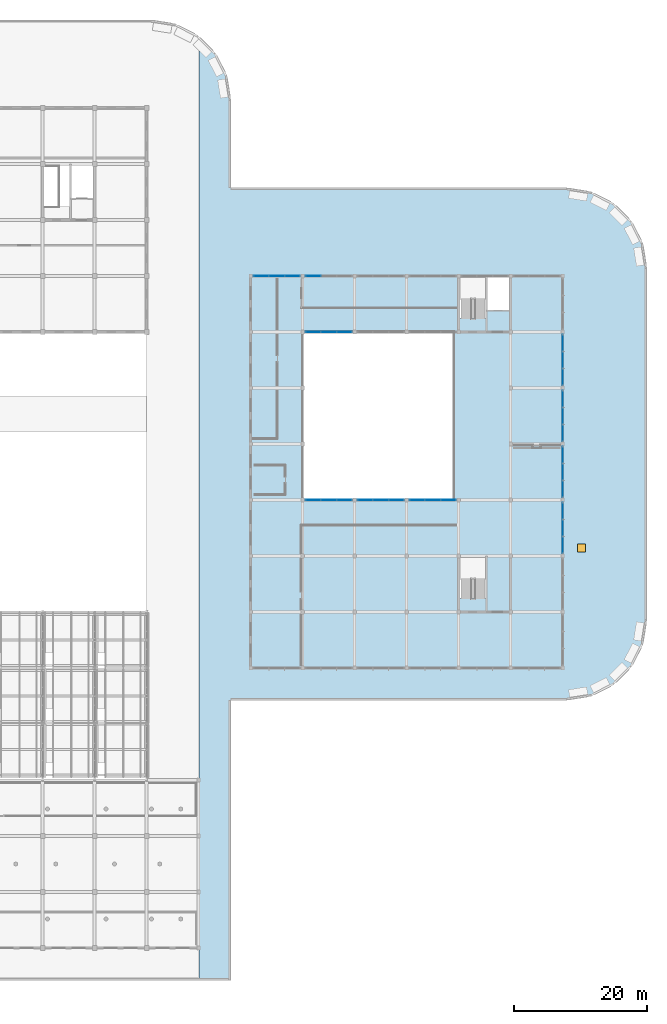
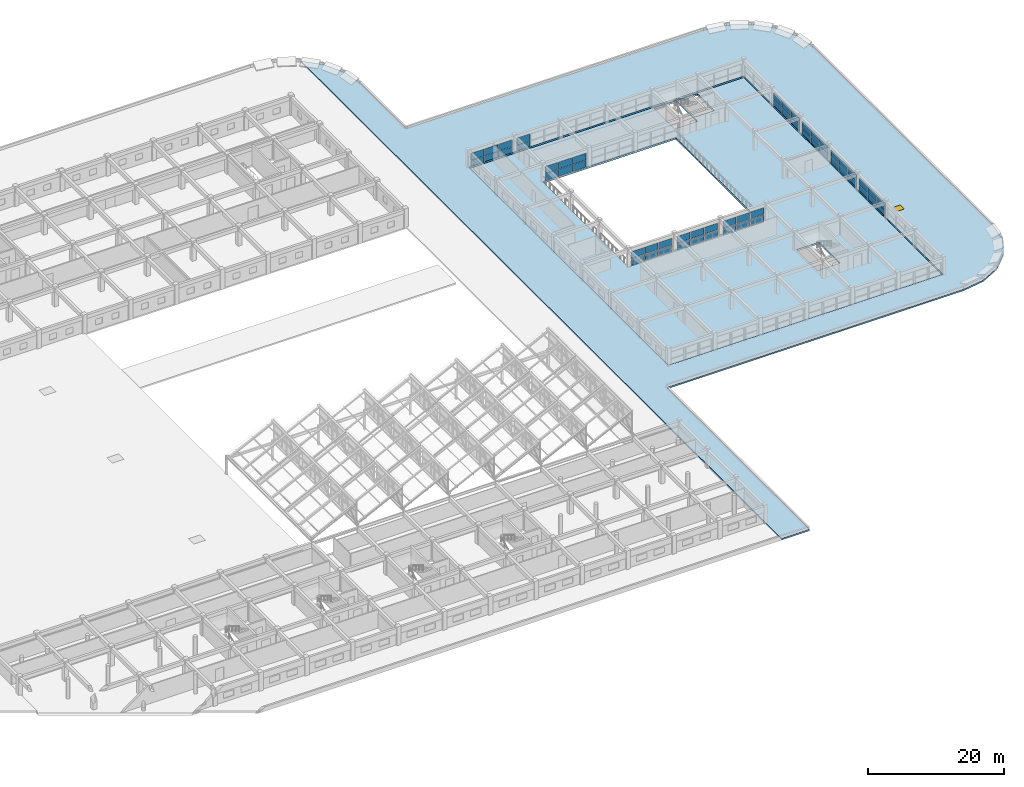
# One storey, part 83 of 101: 56 plates, 2 slabs, 1 window, 1 opening, 10 elements without a shape of their own.
"""IFC4 building model written with IfcOpenShell, lengths in metres."""

from ifc_helpers import new_model, si_unit, direction, frame, origin, origin_2d, place, context, subcontext, project, spatial, polyline, rectangle, outline, extrude, material, layer, layer_set, type_object, element, fill, aggregate, save


model = new_model("IFC4")

# Units and contexts
model_context = context("Model", 3, precision=1e-05, world=origin(), true_north=direction((0.0, 1.0)))
body_context = subcontext(model_context, "Body", "Model", "MODEL_VIEW")
ifc_project = project(units=[si_unit("LENGTHUNIT", "METRE"), si_unit("AREAUNIT", "SQUARE_METRE"), si_unit("VOLUMEUNIT", "CUBIC_METRE"), si_unit("PLANEANGLEUNIT", "RADIAN"), si_unit("MASSUNIT", "GRAM", prefix="KILO")], contexts=[model_context])

# Site, building, storey
site_placement = place(None, origin())
site = spatial("IfcSite", under=ifc_project, at=site_placement, CompositionType="ELEMENT")
building_placement = place(site_placement, origin())
building = spatial("IfcBuilding", under=site, at=building_placement, Name="Zizhar Promenade General Hospital", CompositionType="ELEMENT")
storey_placement = place(building_placement, frame((0.0, 0.0, 14.39990234375)))
storey = spatial("IfcBuildingStorey", under=building, at=storey_placement, Name="L03", CompositionType="ELEMENT", Elevation=14.39990234375)

# Curtain wall, plates
ifc_material_1 = material(Name="Anodised aluminium 6063-T6 and low-E glass", Category="aluminium")
ifc_layer_1 = layer(ifc_material_1, 0.159912109375)
ifc_layer_set_1 = layer_set([ifc_layer_1], Name="Anodised aluminium 6063-T6 and low-E glass")
curtain_wall_type_1 = type_object("IfcCurtainWallType", Name="CW-CLN-L03", PredefinedType="NOTDEFINED", material=ifc_layer_set_1)
curtain_wall_1_placement = place(storey_placement, origin())
curtain_wall_1 = element("IfcCurtainWall", 1, at=curtain_wall_1_placement, inside=storey, type_object=curtain_wall_type_1, Name="L03 Clinic Pavilion North Glazing 18", PredefinedType="NOTDEFINED")
ifc_material_2 = material(Name="Low-E solar-control glass", Category="glass")
ifc_layer_2 = layer(ifc_material_2, 0.031982421875)
ifc_layer_set_2 = layer_set([ifc_layer_2], Name="Low-E solar-control glass")
plate_type = type_object("IfcPlateType", Name="CWP-GLZ-32", PredefinedType="CURTAIN_PANEL", material=ifc_layer_set_2)
plate_1_placement = place(storey_placement, frame((141.9599609375, 100.800048828125, 0.06005859375), z_axis=(0.0, 0.0, 1.0), x_axis=(1.0, 0.0, 0.0)))
plate_1 = element("IfcPlate", 2, at=plate_1_placement, type_object=plate_type, Name="CW-11 panel 1.1", PredefinedType="CURTAIN_PANEL", context=body_context, shape_type="SweptSolid", body=[
    extrude(rectangle(XDim=2.239990234375, YDim=0.031982421875, at=origin_2d()), origin(), (0.0, 0.0, 1.0), 1.219970703125),
])
plate_2_placement = place(storey_placement, frame((141.9599609375, 100.800048828125, 1.34033203125), z_axis=(0.0, 0.0, 1.0), x_axis=(1.0, 0.0, 0.0)))
plate_2 = element("IfcPlate", 3, at=plate_2_placement, type_object=plate_type, Name="CW-11 panel 1.2", PredefinedType="CURTAIN_PANEL", context=body_context, shape_type="SweptSolid", body=[
    extrude(rectangle(XDim=2.239990234375, YDim=0.031982421875, at=origin_2d()), origin(), (0.0, 0.0, 1.0), 1.219970703125),
])
plate_3_placement = place(storey_placement, frame((144.300048828125, 100.800048828125, 0.06005859375), z_axis=(0.0, 0.0, 1.0), x_axis=(1.0, 0.0, 0.0)))
plate_3 = element("IfcPlate", 4, at=plate_3_placement, type_object=plate_type, Name="CW-11 panel 2.1", PredefinedType="CURTAIN_PANEL", context=body_context, shape_type="SweptSolid", body=[
    extrude(rectangle(XDim=2.280029296875, YDim=0.031982421875, at=origin_2d()), origin(), (0.0, 0.0, 1.0), 1.219970703125),
])
plate_4_placement = place(storey_placement, frame((144.300048828125, 100.800048828125, 1.34033203125), z_axis=(0.0, 0.0, 1.0), x_axis=(1.0, 0.0, 0.0)))
plate_4 = element("IfcPlate", 5, at=plate_4_placement, type_object=plate_type, Name="CW-11 panel 2.2", PredefinedType="CURTAIN_PANEL", context=body_context, shape_type="SweptSolid", body=[
    extrude(rectangle(XDim=2.280029296875, YDim=0.031982421875, at=origin_2d()), origin(), (0.0, 0.0, 1.0), 1.219970703125),
])
plate_5_placement = place(storey_placement, frame((146.639892578125, 100.800048828125, 0.06005859375), z_axis=(0.0, 0.0, 1.0), x_axis=(1.0, 0.0, 0.0)))
plate_5 = element("IfcPlate", 6, at=plate_5_placement, type_object=plate_type, Name="CW-11 panel 3.1", PredefinedType="CURTAIN_PANEL", context=body_context, shape_type="SweptSolid", body=[
    extrude(rectangle(XDim=2.239990234375, YDim=0.031982421875, at=origin_2d()), origin(), (0.0, 0.0, 1.0), 1.219970703125),
])
plate_6_placement = place(storey_placement, frame((146.639892578125, 100.800048828125, 1.34033203125), z_axis=(0.0, 0.0, 1.0), x_axis=(1.0, 0.0, 0.0)))
plate_6 = element("IfcPlate", 7, at=plate_6_placement, type_object=plate_type, Name="CW-11 panel 3.2", PredefinedType="CURTAIN_PANEL", context=body_context, shape_type="SweptSolid", body=[
    extrude(rectangle(XDim=2.239990234375, YDim=0.031982421875, at=origin_2d()), origin(), (0.0, 0.0, 1.0), 1.219970703125),
])
aggregate(curtain_wall_1, [plate_1, plate_2, plate_3, plate_4, plate_5, plate_6])

curtain_wall_2_placement = place(storey_placement, origin())
curtain_wall_2 = element("IfcCurtainWall", 8, at=curtain_wall_2_placement, inside=storey, type_object=curtain_wall_type_1, Name="L03 Clinic Pavilion North Glazing 19", PredefinedType="NOTDEFINED")
plate_7_placement = place(storey_placement, frame((149.760009765625, 100.800048828125, 0.06005859375), z_axis=(0.0, 0.0, 1.0), x_axis=(1.0, 0.0, 0.0)))
plate_7 = element("IfcPlate", 9, at=plate_7_placement, type_object=plate_type, Name="CW-11 panel 1.1", PredefinedType="CURTAIN_PANEL", context=body_context, shape_type="SweptSolid", body=[
    extrude(rectangle(XDim=2.239990234375, YDim=0.031982421875, at=origin_2d()), origin(), (0.0, 0.0, 1.0), 1.219970703125),
])
plate_8_placement = place(storey_placement, frame((149.760009765625, 100.800048828125, 1.34033203125), z_axis=(0.0, 0.0, 1.0), x_axis=(1.0, 0.0, 0.0)))
plate_8 = element("IfcPlate", 10, at=plate_8_placement, type_object=plate_type, Name="CW-11 panel 1.2", PredefinedType="CURTAIN_PANEL", context=body_context, shape_type="SweptSolid", body=[
    extrude(rectangle(XDim=2.239990234375, YDim=0.031982421875, at=origin_2d()), origin(), (0.0, 0.0, 1.0), 1.219970703125),
])
aggregate(curtain_wall_2, [plate_7, plate_8])

curtain_wall_3_placement = place(storey_placement, origin())
curtain_wall_3 = element("IfcCurtainWall", 11, at=curtain_wall_3_placement, inside=storey, type_object=curtain_wall_type_1, Name="L03 Clinic Pavilion East Glazing 7", PredefinedType="NOTDEFINED")
plate_9_placement = place(storey_placement, frame((187.199951171875, 65.5400390625, 0.06005859375), z_axis=(0.0, 0.0, 1.0), x_axis=(0.0, -1.0, 0.0)))
plate_9 = element("IfcPlate", 12, at=plate_9_placement, type_object=plate_type, Name="CW-11 panel 1.1", PredefinedType="CURTAIN_PANEL", context=body_context, shape_type="SweptSolid", body=[
    extrude(rectangle(XDim=2.43994140625, YDim=0.031982421875, at=origin_2d()), origin(), (0.0, 0.0, 1.0), 1.219970703125),
])
plate_10_placement = place(storey_placement, frame((187.199951171875, 65.5400390625, 1.34033203125), z_axis=(0.0, 0.0, 1.0), x_axis=(0.0, -1.0, 0.0)))
plate_10 = element("IfcPlate", 13, at=plate_10_placement, type_object=plate_type, Name="CW-11 panel 1.2", PredefinedType="CURTAIN_PANEL", context=body_context, shape_type="SweptSolid", body=[
    extrude(rectangle(XDim=2.43994140625, YDim=0.031982421875, at=origin_2d()), origin(), (0.0, 0.0, 1.0), 1.219970703125),
])
plate_11_placement = place(storey_placement, frame((187.199951171875, 63.0, 0.06005859375), z_axis=(0.0, 0.0, 1.0), x_axis=(0.0, -1.0, 0.0)))
plate_11 = element("IfcPlate", 14, at=plate_11_placement, type_object=plate_type, Name="CW-11 panel 2.1", PredefinedType="CURTAIN_PANEL", context=body_context, shape_type="SweptSolid", body=[
    extrude(rectangle(XDim=2.47998046875, YDim=0.031982421875, at=origin_2d()), origin(), (0.0, 0.0, 1.0), 1.219970703125),
])
plate_12_placement = place(storey_placement, frame((187.199951171875, 63.0, 1.34033203125), z_axis=(0.0, 0.0, 1.0), x_axis=(0.0, -1.0, 0.0)))
plate_12 = element("IfcPlate", 15, at=plate_12_placement, type_object=plate_type, Name="CW-11 panel 2.2", PredefinedType="CURTAIN_PANEL", context=body_context, shape_type="SweptSolid", body=[
    extrude(rectangle(XDim=2.47998046875, YDim=0.031982421875, at=origin_2d()), origin(), (0.0, 0.0, 1.0), 1.219970703125),
])
plate_13_placement = place(storey_placement, frame((187.199951171875, 60.4599609375, 0.06005859375), z_axis=(0.0, 0.0, 1.0), x_axis=(0.0, -1.0, 0.0)))
plate_13 = element("IfcPlate", 16, at=plate_13_placement, type_object=plate_type, Name="CW-11 panel 3.1", PredefinedType="CURTAIN_PANEL", context=body_context, shape_type="SweptSolid", body=[
    extrude(rectangle(XDim=2.43994140625, YDim=0.031982421875, at=origin_2d()), origin(), (0.0, 0.0, 1.0), 1.219970703125),
])
plate_14_placement = place(storey_placement, frame((187.199951171875, 60.4599609375, 1.34033203125), z_axis=(0.0, 0.0, 1.0), x_axis=(0.0, -1.0, 0.0)))
plate_14 = element("IfcPlate", 17, at=plate_14_placement, type_object=plate_type, Name="CW-11 panel 3.2", PredefinedType="CURTAIN_PANEL", context=body_context, shape_type="SweptSolid", body=[
    extrude(rectangle(XDim=2.43994140625, YDim=0.031982421875, at=origin_2d()), origin(), (0.0, 0.0, 1.0), 1.219970703125),
])
aggregate(curtain_wall_3, [plate_9, plate_10, plate_11, plate_12, plate_13, plate_14])

curtain_wall_4_placement = place(storey_placement, origin())
curtain_wall_4 = element("IfcCurtainWall", 18, at=curtain_wall_4_placement, inside=storey, type_object=curtain_wall_type_1, Name="L03 Clinic Pavilion East Glazing 8", PredefinedType="NOTDEFINED")
plate_15_placement = place(storey_placement, frame((187.199951171875, 73.93994140625, 0.06005859375), z_axis=(0.0, 0.0, 1.0), x_axis=(0.0, -1.0, 0.0)))
plate_15 = element("IfcPlate", 19, at=plate_15_placement, type_object=plate_type, Name="CW-11 panel 1.1", PredefinedType="CURTAIN_PANEL", context=body_context, shape_type="SweptSolid", body=[
    extrude(rectangle(XDim=2.43994140625, YDim=0.031982421875, at=origin_2d()), origin(), (0.0, 0.0, 1.0), 1.219970703125),
])
plate_16_placement = place(storey_placement, frame((187.199951171875, 73.93994140625, 1.34033203125), z_axis=(0.0, 0.0, 1.0), x_axis=(0.0, -1.0, 0.0)))
plate_16 = element("IfcPlate", 20, at=plate_16_placement, type_object=plate_type, Name="CW-11 panel 1.2", PredefinedType="CURTAIN_PANEL", context=body_context, shape_type="SweptSolid", body=[
    extrude(rectangle(XDim=2.43994140625, YDim=0.031982421875, at=origin_2d()), origin(), (0.0, 0.0, 1.0), 1.219970703125),
])
plate_17_placement = place(storey_placement, frame((187.199951171875, 71.39990234375, 0.06005859375), z_axis=(0.0, 0.0, 1.0), x_axis=(0.0, -1.0, 0.0)))
plate_17 = element("IfcPlate", 21, at=plate_17_placement, type_object=plate_type, Name="CW-11 panel 2.1", PredefinedType="CURTAIN_PANEL", context=body_context, shape_type="SweptSolid", body=[
    extrude(rectangle(XDim=2.47998046875, YDim=0.031982421875, at=origin_2d()), origin(), (0.0, 0.0, 1.0), 1.219970703125),
])
plate_18_placement = place(storey_placement, frame((187.199951171875, 71.39990234375, 1.34033203125), z_axis=(0.0, 0.0, 1.0), x_axis=(0.0, -1.0, 0.0)))
plate_18 = element("IfcPlate", 22, at=plate_18_placement, type_object=plate_type, Name="CW-11 panel 2.2", PredefinedType="CURTAIN_PANEL", context=body_context, shape_type="SweptSolid", body=[
    extrude(rectangle(XDim=2.47998046875, YDim=0.031982421875, at=origin_2d()), origin(), (0.0, 0.0, 1.0), 1.219970703125),
])
plate_19_placement = place(storey_placement, frame((187.199951171875, 68.860107421875, 0.06005859375), z_axis=(0.0, 0.0, 1.0), x_axis=(0.0, -1.0, 0.0)))
plate_19 = element("IfcPlate", 23, at=plate_19_placement, type_object=plate_type, Name="CW-11 panel 3.1", PredefinedType="CURTAIN_PANEL", context=body_context, shape_type="SweptSolid", body=[
    extrude(rectangle(XDim=2.43994140625, YDim=0.031982421875, at=origin_2d()), origin(), (0.0, 0.0, 1.0), 1.219970703125),
])
plate_20_placement = place(storey_placement, frame((187.199951171875, 68.860107421875, 1.34033203125), z_axis=(0.0, 0.0, 1.0), x_axis=(0.0, -1.0, 0.0)))
plate_20 = element("IfcPlate", 24, at=plate_20_placement, type_object=plate_type, Name="CW-11 panel 3.2", PredefinedType="CURTAIN_PANEL", context=body_context, shape_type="SweptSolid", body=[
    extrude(rectangle(XDim=2.43994140625, YDim=0.031982421875, at=origin_2d()), origin(), (0.0, 0.0, 1.0), 1.219970703125),
])
aggregate(curtain_wall_4, [plate_15, plate_16, plate_17, plate_18, plate_19, plate_20])

curtain_wall_5_placement = place(storey_placement, origin())
curtain_wall_5 = element("IfcCurtainWall", 25, at=curtain_wall_5_placement, inside=storey, type_object=curtain_wall_type_1, Name="L03 Clinic Pavilion East Glazing 9", PredefinedType="NOTDEFINED")
plate_21_placement = place(storey_placement, frame((187.199951171875, 82.340087890625, 0.06005859375), z_axis=(0.0, 0.0, 1.0), x_axis=(0.0, -1.0, 0.0)))
plate_21 = element("IfcPlate", 26, at=plate_21_placement, type_object=plate_type, Name="CW-11 panel 1.1", PredefinedType="CURTAIN_PANEL", context=body_context, shape_type="SweptSolid", body=[
    extrude(rectangle(XDim=2.43994140625, YDim=0.031982421875, at=origin_2d()), origin(), (0.0, 0.0, 1.0), 1.219970703125),
])
plate_22_placement = place(storey_placement, frame((187.199951171875, 82.340087890625, 1.34033203125), z_axis=(0.0, 0.0, 1.0), x_axis=(0.0, -1.0, 0.0)))
plate_22 = element("IfcPlate", 27, at=plate_22_placement, type_object=plate_type, Name="CW-11 panel 1.2", PredefinedType="CURTAIN_PANEL", context=body_context, shape_type="SweptSolid", body=[
    extrude(rectangle(XDim=2.43994140625, YDim=0.031982421875, at=origin_2d()), origin(), (0.0, 0.0, 1.0), 1.219970703125),
])
plate_23_placement = place(storey_placement, frame((187.199951171875, 79.800048828125, 0.06005859375), z_axis=(0.0, 0.0, 1.0), x_axis=(0.0, -1.0, 0.0)))
plate_23 = element("IfcPlate", 28, at=plate_23_placement, type_object=plate_type, Name="CW-11 panel 2.1", PredefinedType="CURTAIN_PANEL", context=body_context, shape_type="SweptSolid", body=[
    extrude(rectangle(XDim=2.47998046875, YDim=0.031982421875, at=origin_2d()), origin(), (0.0, 0.0, 1.0), 1.219970703125),
])
plate_24_placement = place(storey_placement, frame((187.199951171875, 79.800048828125, 1.34033203125), z_axis=(0.0, 0.0, 1.0), x_axis=(0.0, -1.0, 0.0)))
plate_24 = element("IfcPlate", 29, at=plate_24_placement, type_object=plate_type, Name="CW-11 panel 2.2", PredefinedType="CURTAIN_PANEL", context=body_context, shape_type="SweptSolid", body=[
    extrude(rectangle(XDim=2.47998046875, YDim=0.031982421875, at=origin_2d()), origin(), (0.0, 0.0, 1.0), 1.219970703125),
])
plate_25_placement = place(storey_placement, frame((187.199951171875, 77.260009765625, 0.06005859375), z_axis=(0.0, 0.0, 1.0), x_axis=(0.0, -1.0, 0.0)))
plate_25 = element("IfcPlate", 30, at=plate_25_placement, type_object=plate_type, Name="CW-11 panel 3.1", PredefinedType="CURTAIN_PANEL", context=body_context, shape_type="SweptSolid", body=[
    extrude(rectangle(XDim=2.43994140625, YDim=0.031982421875, at=origin_2d()), origin(), (0.0, 0.0, 1.0), 1.219970703125),
])
plate_26_placement = place(storey_placement, frame((187.199951171875, 77.260009765625, 1.34033203125), z_axis=(0.0, 0.0, 1.0), x_axis=(0.0, -1.0, 0.0)))
plate_26 = element("IfcPlate", 31, at=plate_26_placement, type_object=plate_type, Name="CW-11 panel 3.2", PredefinedType="CURTAIN_PANEL", context=body_context, shape_type="SweptSolid", body=[
    extrude(rectangle(XDim=2.43994140625, YDim=0.031982421875, at=origin_2d()), origin(), (0.0, 0.0, 1.0), 1.219970703125),
])
aggregate(curtain_wall_5, [plate_21, plate_22, plate_23, plate_24, plate_25, plate_26])

curtain_wall_6_placement = place(storey_placement, origin())
curtain_wall_6 = element("IfcCurtainWall", 32, at=curtain_wall_6_placement, inside=storey, type_object=curtain_wall_type_1, Name="L03 Clinic Pavilion East Glazing 10", PredefinedType="NOTDEFINED")
plate_27_placement = place(storey_placement, frame((187.199951171875, 90.739990234375, 0.06005859375), z_axis=(0.0, 0.0, 1.0), x_axis=(0.0, -1.0, 0.0)))
plate_27 = element("IfcPlate", 33, at=plate_27_placement, type_object=plate_type, Name="CW-11 panel 1.1", PredefinedType="CURTAIN_PANEL", context=body_context, shape_type="SweptSolid", body=[
    extrude(rectangle(XDim=2.43994140625, YDim=0.031982421875, at=origin_2d()), origin(), (0.0, 0.0, 1.0), 1.219970703125),
])
plate_28_placement = place(storey_placement, frame((187.199951171875, 90.739990234375, 1.34033203125), z_axis=(0.0, 0.0, 1.0), x_axis=(0.0, -1.0, 0.0)))
plate_28 = element("IfcPlate", 34, at=plate_28_placement, type_object=plate_type, Name="CW-11 panel 1.2", PredefinedType="CURTAIN_PANEL", context=body_context, shape_type="SweptSolid", body=[
    extrude(rectangle(XDim=2.43994140625, YDim=0.031982421875, at=origin_2d()), origin(), (0.0, 0.0, 1.0), 1.219970703125),
])
plate_29_placement = place(storey_placement, frame((187.199951171875, 88.199951171875, 0.06005859375), z_axis=(0.0, 0.0, 1.0), x_axis=(0.0, -1.0, 0.0)))
plate_29 = element("IfcPlate", 35, at=plate_29_placement, type_object=plate_type, Name="CW-11 panel 2.1", PredefinedType="CURTAIN_PANEL", context=body_context, shape_type="SweptSolid", body=[
    extrude(rectangle(XDim=2.47998046875, YDim=0.031982421875, at=origin_2d()), origin(), (0.0, 0.0, 1.0), 1.219970703125),
])
plate_30_placement = place(storey_placement, frame((187.199951171875, 88.199951171875, 1.34033203125), z_axis=(0.0, 0.0, 1.0), x_axis=(0.0, -1.0, 0.0)))
plate_30 = element("IfcPlate", 36, at=plate_30_placement, type_object=plate_type, Name="CW-11 panel 2.2", PredefinedType="CURTAIN_PANEL", context=body_context, shape_type="SweptSolid", body=[
    extrude(rectangle(XDim=2.47998046875, YDim=0.031982421875, at=origin_2d()), origin(), (0.0, 0.0, 1.0), 1.219970703125),
])
plate_31_placement = place(storey_placement, frame((187.199951171875, 85.659912109375, 0.06005859375), z_axis=(0.0, 0.0, 1.0), x_axis=(0.0, -1.0, 0.0)))
plate_31 = element("IfcPlate", 37, at=plate_31_placement, type_object=plate_type, Name="CW-11 panel 3.1", PredefinedType="CURTAIN_PANEL", context=body_context, shape_type="SweptSolid", body=[
    extrude(rectangle(XDim=2.43994140625, YDim=0.031982421875, at=origin_2d()), origin(), (0.0, 0.0, 1.0), 1.219970703125),
])
plate_32_placement = place(storey_placement, frame((187.199951171875, 85.659912109375, 1.34033203125), z_axis=(0.0, 0.0, 1.0), x_axis=(0.0, -1.0, 0.0)))
plate_32 = element("IfcPlate", 38, at=plate_32_placement, type_object=plate_type, Name="CW-11 panel 3.2", PredefinedType="CURTAIN_PANEL", context=body_context, shape_type="SweptSolid", body=[
    extrude(rectangle(XDim=2.43994140625, YDim=0.031982421875, at=origin_2d()), origin(), (0.0, 0.0, 1.0), 1.219970703125),
])
aggregate(curtain_wall_6, [plate_27, plate_28, plate_29, plate_30, plate_31, plate_32])

ifc_material_3 = material(Name="Anodised aluminium 6063-T6 and low-E glass", Category="aluminium")
ifc_layer_3 = layer(ifc_material_3, 0.159912109375)
ifc_layer_set_3 = layer_set([ifc_layer_3], Name="Anodised aluminium 6063-T6 and low-E glass")
curtain_wall_type_2 = type_object("IfcCurtainWallType", Name="CW-CLN-CRT", PredefinedType="NOTDEFINED", material=ifc_layer_set_3)
curtain_wall_7_placement = place(storey_placement, origin())
curtain_wall_7 = element("IfcCurtainWall", 39, at=curtain_wall_7_placement, inside=storey, type_object=curtain_wall_type_2, Name="East Light Court South Glazing L03-19", PredefinedType="NOTDEFINED")
plate_33_placement = place(storey_placement, frame((149.760009765625, 67.199951171875, 0.06005859375), z_axis=(0.0, 0.0, 1.0), x_axis=(1.0, 0.0, 0.0)))
plate_33 = element("IfcPlate", 40, at=plate_33_placement, type_object=plate_type, Name="CW-10 panel 1.1", PredefinedType="CURTAIN_PANEL", context=body_context, shape_type="SweptSolid", body=[
    extrude(rectangle(XDim=2.239990234375, YDim=0.031982421875, at=origin_2d()), origin(), (0.0, 0.0, 1.0), 1.219970703125),
])
plate_34_placement = place(storey_placement, frame((149.760009765625, 67.199951171875, 1.34033203125), z_axis=(0.0, 0.0, 1.0), x_axis=(1.0, 0.0, 0.0)))
plate_34 = element("IfcPlate", 41, at=plate_34_placement, type_object=plate_type, Name="CW-10 panel 1.2", PredefinedType="CURTAIN_PANEL", context=body_context, shape_type="SweptSolid", body=[
    extrude(rectangle(XDim=2.239990234375, YDim=0.031982421875, at=origin_2d()), origin(), (0.0, 0.0, 1.0), 1.219970703125),
])
plate_35_placement = place(storey_placement, frame((152.10009765625, 67.199951171875, 0.06005859375), z_axis=(0.0, 0.0, 1.0), x_axis=(1.0, 0.0, 0.0)))
plate_35 = element("IfcPlate", 42, at=plate_35_placement, type_object=plate_type, Name="CW-10 panel 2.1", PredefinedType="CURTAIN_PANEL", context=body_context, shape_type="SweptSolid", body=[
    extrude(rectangle(XDim=2.280029296875, YDim=0.031982421875, at=origin_2d()), origin(), (0.0, 0.0, 1.0), 1.219970703125),
])
plate_36_placement = place(storey_placement, frame((152.10009765625, 67.199951171875, 1.34033203125), z_axis=(0.0, 0.0, 1.0), x_axis=(1.0, 0.0, 0.0)))
plate_36 = element("IfcPlate", 43, at=plate_36_placement, type_object=plate_type, Name="CW-10 panel 2.2", PredefinedType="CURTAIN_PANEL", context=body_context, shape_type="SweptSolid", body=[
    extrude(rectangle(XDim=2.280029296875, YDim=0.031982421875, at=origin_2d()), origin(), (0.0, 0.0, 1.0), 1.219970703125),
])
plate_37_placement = place(storey_placement, frame((154.43994140625, 67.199951171875, 0.06005859375), z_axis=(0.0, 0.0, 1.0), x_axis=(1.0, 0.0, 0.0)))
plate_37 = element("IfcPlate", 44, at=plate_37_placement, type_object=plate_type, Name="CW-10 panel 3.1", PredefinedType="CURTAIN_PANEL", context=body_context, shape_type="SweptSolid", body=[
    extrude(rectangle(XDim=2.239990234375, YDim=0.031982421875, at=origin_2d()), origin(), (0.0, 0.0, 1.0), 1.219970703125),
])
plate_38_placement = place(storey_placement, frame((154.43994140625, 67.199951171875, 1.34033203125), z_axis=(0.0, 0.0, 1.0), x_axis=(1.0, 0.0, 0.0)))
plate_38 = element("IfcPlate", 45, at=plate_38_placement, type_object=plate_type, Name="CW-10 panel 3.2", PredefinedType="CURTAIN_PANEL", context=body_context, shape_type="SweptSolid", body=[
    extrude(rectangle(XDim=2.239990234375, YDim=0.031982421875, at=origin_2d()), origin(), (0.0, 0.0, 1.0), 1.219970703125),
])
aggregate(curtain_wall_7, [plate_33, plate_34, plate_35, plate_36, plate_37, plate_38])

curtain_wall_8_placement = place(storey_placement, origin())
curtain_wall_8 = element("IfcCurtainWall", 46, at=curtain_wall_8_placement, inside=storey, type_object=curtain_wall_type_2, Name="East Light Court North Glazing L03-19", PredefinedType="NOTDEFINED")
plate_39_placement = place(storey_placement, frame((154.43994140625, 92.39990234375, 0.06005859375), z_axis=(0.0, 0.0, 1.0), x_axis=(-1.0, 0.0, 0.0)))
plate_39 = element("IfcPlate", 47, at=plate_39_placement, type_object=plate_type, Name="CW-10 panel 1.1", PredefinedType="CURTAIN_PANEL", context=body_context, shape_type="SweptSolid", body=[
    extrude(rectangle(XDim=2.239990234375, YDim=0.031982421875, at=origin_2d()), origin(), (0.0, 0.0, 1.0), 1.219970703125),
])
plate_40_placement = place(storey_placement, frame((154.43994140625, 92.39990234375, 1.34033203125), z_axis=(0.0, 0.0, 1.0), x_axis=(-1.0, 0.0, 0.0)))
plate_40 = element("IfcPlate", 48, at=plate_40_placement, type_object=plate_type, Name="CW-10 panel 1.2", PredefinedType="CURTAIN_PANEL", context=body_context, shape_type="SweptSolid", body=[
    extrude(rectangle(XDim=2.239990234375, YDim=0.031982421875, at=origin_2d()), origin(), (0.0, 0.0, 1.0), 1.219970703125),
])
plate_41_placement = place(storey_placement, frame((152.10009765625, 92.39990234375, 0.06005859375), z_axis=(0.0, 0.0, 1.0), x_axis=(-1.0, 0.0, 0.0)))
plate_41 = element("IfcPlate", 49, at=plate_41_placement, type_object=plate_type, Name="CW-10 panel 2.1", PredefinedType="CURTAIN_PANEL", context=body_context, shape_type="SweptSolid", body=[
    extrude(rectangle(XDim=2.280029296875, YDim=0.031982421875, at=origin_2d()), origin(), (0.0, 0.0, 1.0), 1.219970703125),
])
plate_42_placement = place(storey_placement, frame((152.10009765625, 92.39990234375, 1.34033203125), z_axis=(0.0, 0.0, 1.0), x_axis=(-1.0, 0.0, 0.0)))
plate_42 = element("IfcPlate", 50, at=plate_42_placement, type_object=plate_type, Name="CW-10 panel 2.2", PredefinedType="CURTAIN_PANEL", context=body_context, shape_type="SweptSolid", body=[
    extrude(rectangle(XDim=2.280029296875, YDim=0.031982421875, at=origin_2d()), origin(), (0.0, 0.0, 1.0), 1.219970703125),
])
plate_43_placement = place(storey_placement, frame((149.760009765625, 92.39990234375, 0.06005859375), z_axis=(0.0, 0.0, 1.0), x_axis=(-1.0, 0.0, 0.0)))
plate_43 = element("IfcPlate", 51, at=plate_43_placement, type_object=plate_type, Name="CW-10 panel 3.1", PredefinedType="CURTAIN_PANEL", context=body_context, shape_type="SweptSolid", body=[
    extrude(rectangle(XDim=2.239990234375, YDim=0.031982421875, at=origin_2d()), origin(), (0.0, 0.0, 1.0), 1.219970703125),
])
plate_44_placement = place(storey_placement, frame((149.760009765625, 92.39990234375, 1.34033203125), z_axis=(0.0, 0.0, 1.0), x_axis=(-1.0, 0.0, 0.0)))
plate_44 = element("IfcPlate", 52, at=plate_44_placement, type_object=plate_type, Name="CW-10 panel 3.2", PredefinedType="CURTAIN_PANEL", context=body_context, shape_type="SweptSolid", body=[
    extrude(rectangle(XDim=2.239990234375, YDim=0.031982421875, at=origin_2d()), origin(), (0.0, 0.0, 1.0), 1.219970703125),
])
aggregate(curtain_wall_8, [plate_39, plate_40, plate_41, plate_42, plate_43, plate_44])

curtain_wall_9_placement = place(storey_placement, origin())
curtain_wall_9 = element("IfcCurtainWall", 53, at=curtain_wall_9_placement, inside=storey, type_object=curtain_wall_type_2, Name="East Light Court South Glazing L03-20", PredefinedType="NOTDEFINED")
plate_45_placement = place(storey_placement, frame((157.56005859375, 67.199951171875, 0.06005859375), z_axis=(0.0, 0.0, 1.0), x_axis=(1.0, 0.0, 0.0)))
plate_45 = element("IfcPlate", 54, at=plate_45_placement, type_object=plate_type, Name="CW-10 panel 1.1", PredefinedType="CURTAIN_PANEL", context=body_context, shape_type="SweptSolid", body=[
    extrude(rectangle(XDim=2.239990234375, YDim=0.031982421875, at=origin_2d()), origin(), (0.0, 0.0, 1.0), 1.219970703125),
])
plate_46_placement = place(storey_placement, frame((157.56005859375, 67.199951171875, 1.34033203125), z_axis=(0.0, 0.0, 1.0), x_axis=(1.0, 0.0, 0.0)))
plate_46 = element("IfcPlate", 55, at=plate_46_placement, type_object=plate_type, Name="CW-10 panel 1.2", PredefinedType="CURTAIN_PANEL", context=body_context, shape_type="SweptSolid", body=[
    extrude(rectangle(XDim=2.239990234375, YDim=0.031982421875, at=origin_2d()), origin(), (0.0, 0.0, 1.0), 1.219970703125),
])
plate_47_placement = place(storey_placement, frame((159.89990234375, 67.199951171875, 0.06005859375), z_axis=(0.0, 0.0, 1.0), x_axis=(1.0, 0.0, 0.0)))
plate_47 = element("IfcPlate", 56, at=plate_47_placement, type_object=plate_type, Name="CW-10 panel 2.1", PredefinedType="CURTAIN_PANEL", context=body_context, shape_type="SweptSolid", body=[
    extrude(rectangle(XDim=2.280029296875, YDim=0.031982421875, at=origin_2d()), origin(), (0.0, 0.0, 1.0), 1.219970703125),
])
plate_48_placement = place(storey_placement, frame((159.89990234375, 67.199951171875, 1.34033203125), z_axis=(0.0, 0.0, 1.0), x_axis=(1.0, 0.0, 0.0)))
plate_48 = element("IfcPlate", 57, at=plate_48_placement, type_object=plate_type, Name="CW-10 panel 2.2", PredefinedType="CURTAIN_PANEL", context=body_context, shape_type="SweptSolid", body=[
    extrude(rectangle(XDim=2.280029296875, YDim=0.031982421875, at=origin_2d()), origin(), (0.0, 0.0, 1.0), 1.219970703125),
])
plate_49_placement = place(storey_placement, frame((162.239990234375, 67.199951171875, 0.06005859375), z_axis=(0.0, 0.0, 1.0), x_axis=(1.0, 0.0, 0.0)))
plate_49 = element("IfcPlate", 58, at=plate_49_placement, type_object=plate_type, Name="CW-10 panel 3.1", PredefinedType="CURTAIN_PANEL", context=body_context, shape_type="SweptSolid", body=[
    extrude(rectangle(XDim=2.239990234375, YDim=0.031982421875, at=origin_2d()), origin(), (0.0, 0.0, 1.0), 1.219970703125),
])
plate_50_placement = place(storey_placement, frame((162.239990234375, 67.199951171875, 1.34033203125), z_axis=(0.0, 0.0, 1.0), x_axis=(1.0, 0.0, 0.0)))
plate_50 = element("IfcPlate", 59, at=plate_50_placement, type_object=plate_type, Name="CW-10 panel 3.2", PredefinedType="CURTAIN_PANEL", context=body_context, shape_type="SweptSolid", body=[
    extrude(rectangle(XDim=2.239990234375, YDim=0.031982421875, at=origin_2d()), origin(), (0.0, 0.0, 1.0), 1.219970703125),
])
aggregate(curtain_wall_9, [plate_45, plate_46, plate_47, plate_48, plate_49, plate_50])

curtain_wall_10_placement = place(storey_placement, origin())
curtain_wall_10 = element("IfcCurtainWall", 60, at=curtain_wall_10_placement, inside=storey, type_object=curtain_wall_type_2, Name="East Light Court South Glazing L03-21", PredefinedType="NOTDEFINED")
plate_51_placement = place(storey_placement, frame((165.360107421875, 67.199951171875, 0.06005859375), z_axis=(0.0, 0.0, 1.0), x_axis=(1.0, 0.0, 0.0)))
plate_51 = element("IfcPlate", 61, at=plate_51_placement, type_object=plate_type, Name="CW-10 panel 1.1", PredefinedType="CURTAIN_PANEL", context=body_context, shape_type="SweptSolid", body=[
    extrude(rectangle(XDim=2.239990234375, YDim=0.031982421875, at=origin_2d()), origin(), (0.0, 0.0, 1.0), 1.219970703125),
])
plate_52_placement = place(storey_placement, frame((165.360107421875, 67.199951171875, 1.34033203125), z_axis=(0.0, 0.0, 1.0), x_axis=(1.0, 0.0, 0.0)))
plate_52 = element("IfcPlate", 62, at=plate_52_placement, type_object=plate_type, Name="CW-10 panel 1.2", PredefinedType="CURTAIN_PANEL", context=body_context, shape_type="SweptSolid", body=[
    extrude(rectangle(XDim=2.239990234375, YDim=0.031982421875, at=origin_2d()), origin(), (0.0, 0.0, 1.0), 1.219970703125),
])
plate_53_placement = place(storey_placement, frame((167.699951171875, 67.199951171875, 0.06005859375), z_axis=(0.0, 0.0, 1.0), x_axis=(1.0, 0.0, 0.0)))
plate_53 = element("IfcPlate", 63, at=plate_53_placement, type_object=plate_type, Name="CW-10 panel 2.1", PredefinedType="CURTAIN_PANEL", context=body_context, shape_type="SweptSolid", body=[
    extrude(rectangle(XDim=2.280029296875, YDim=0.031982421875, at=origin_2d()), origin(), (0.0, 0.0, 1.0), 1.219970703125),
])
plate_54_placement = place(storey_placement, frame((167.699951171875, 67.199951171875, 1.34033203125), z_axis=(0.0, 0.0, 1.0), x_axis=(1.0, 0.0, 0.0)))
plate_54 = element("IfcPlate", 64, at=plate_54_placement, type_object=plate_type, Name="CW-10 panel 2.2", PredefinedType="CURTAIN_PANEL", context=body_context, shape_type="SweptSolid", body=[
    extrude(rectangle(XDim=2.280029296875, YDim=0.031982421875, at=origin_2d()), origin(), (0.0, 0.0, 1.0), 1.219970703125),
])
plate_55_placement = place(storey_placement, frame((170.0400390625, 67.199951171875, 0.06005859375), z_axis=(0.0, 0.0, 1.0), x_axis=(1.0, 0.0, 0.0)))
plate_55 = element("IfcPlate", 65, at=plate_55_placement, type_object=plate_type, Name="CW-10 panel 3.1", PredefinedType="CURTAIN_PANEL", context=body_context, shape_type="SweptSolid", body=[
    extrude(rectangle(XDim=2.239990234375, YDim=0.031982421875, at=origin_2d()), origin(), (0.0, 0.0, 1.0), 1.219970703125),
])
plate_56_placement = place(storey_placement, frame((170.0400390625, 67.199951171875, 1.34033203125), z_axis=(0.0, 0.0, 1.0), x_axis=(1.0, 0.0, 0.0)))
plate_56 = element("IfcPlate", 66, at=plate_56_placement, type_object=plate_type, Name="CW-10 panel 3.2", PredefinedType="CURTAIN_PANEL", context=body_context, shape_type="SweptSolid", body=[
    extrude(rectangle(XDim=2.239990234375, YDim=0.031982421875, at=origin_2d()), origin(), (0.0, 0.0, 1.0), 1.219970703125),
])
aggregate(curtain_wall_10, [plate_51, plate_52, plate_53, plate_54, plate_55, plate_56])

# Slab
ifc_material_4 = material(Name="Concrete C35/45", Category="concrete")
ifc_layer_4 = layer(ifc_material_4, 0.320068359375)
ifc_layer_set_4 = layer_set([ifc_layer_4], Name="Concrete C35/45")
slab_type_1 = type_object("IfcSlabType", Name="SLB-FLR-320", PredefinedType="FLOOR", material=ifc_layer_set_4)
slab_1_placement = place(storey_placement, frame((0.0, 0.0, -0.31982421875)))
element("IfcSlab", 67, at=slab_1_placement, inside=storey, type_object=slab_type_1, Name="Level L03 Outpatient Clinics Floor Slab", PredefinedType="FLOOR", context=body_context, shape_type="SweptSolid", body=[
    extrude(outline(polyline([(140.39990234375, 42.0), (187.199951171875, 42.0), (187.199951171875, 100.800048828125), (140.39990234375, 100.800048828125), (140.39990234375, 42.0)]), holes=[polyline([(148.199951171875, 67.199951171875), (148.199951171875, 92.39990234375), (170.800048828125, 92.39990234375), (170.800048828125, 67.199951171875), (148.199951171875, 67.199951171875)]), polyline([(171.780029296875, 94.429931640625), (171.780029296875, 100.6201171875), (175.679931640625, 100.6201171875), (175.679931640625, 94.429931640625), (171.780029296875, 94.429931640625)]), polyline([(175.949951171875, 95.6201171875), (175.949951171875, 100.580078125), (179.179931640625, 100.580078125), (179.179931640625, 95.6201171875), (175.949951171875, 95.6201171875)]), polyline([(171.780029296875, 52.429931640625), (171.780029296875, 58.6201171875), (175.679931640625, 58.6201171875), (175.679931640625, 52.429931640625), (171.780029296875, 52.429931640625)])]), origin(), (0.0, 0.0, 1.0), 0.31982421875),
])

# Slab, opening, window
ifc_material_5 = material(Name="Concrete C35/45", Category="concrete")
ifc_layer_5 = layer(ifc_material_5, 0.260009765625)
ifc_layer_set_5 = layer_set([ifc_layer_5], Name="Concrete C35/45")
slab_type_2 = type_object("IfcSlabType", Name="SLB-ROOF-260", PredefinedType="ROOF", material=ifc_layer_set_5)
slab_2_placement = place(storey_placement, origin())
slab_2 = element("IfcSlab", 68, at=slab_2_placement, inside=storey, type_object=slab_type_2, Name="East Outpatient Arm Overhanging Rounded Roof Plate", PredefinedType="ROOF", context=body_context, shape_type="SweptSolid", body=[
    extrude(outline(polyline([(135.10791015625, 134.2529296875), (136.81298828125, 130.907958984375), (137.39990234375, 127.199951171875), (137.39990234375, 114.0), (187.800048828125, 114.0), (191.508056640625, 113.4130859375), (194.85302734375, 111.7080078125), (197.508056640625, 109.052978515625), (199.212890625, 105.7080078125), (199.800048828125, 102.0), (199.800048828125, 49.199951171875), (199.212890625, 45.491943359375), (197.508056640625, 42.14697265625), (194.85302734375, 39.491943359375), (191.508056640625, 37.787109375), (187.800048828125, 37.199951171875), (137.39990234375, 37.199951171875), (137.39990234375, -4.800048828125), (132.64990234375, -4.800048828125), (132.64990234375, 136.7119140625), (135.10791015625, 134.2529296875)]), holes=[polyline([(187.14990234375, 42.050048828125), (187.14990234375, 100.75), (140.449951171875, 100.75), (140.449951171875, 42.050048828125), (187.14990234375, 42.050048828125)])]), origin(), (0.0, 0.0, 1.0), 0.260009765625),
])
opening_placement = place(slab_2_placement, frame((190.0, 60.0, 0.0)))
opening = element("IfcOpeningElement", 69, at=opening_placement, cuts=slab_2, Name="Opening SK-03", PredefinedType="OPENING", context=body_context, shape_type="SweptSolid", body=[
    extrude(rectangle(XDim=1.199951171875, YDim=1.199951171875, at=origin_2d()), origin(), (0.0, 0.0, 1.0), 0.260009765625),
])
ifc_material_6 = material(Name="Anodised aluminium 6063-T6 and low-E glass", Category="aluminium")
window_type = type_object("IfcWindowType", Name="SKY-HATCH-120x120", PartitioningType="SINGLE_PANEL", PredefinedType="SKYLIGHT", material=ifc_material_6)
window_placement = place(opening_placement, frame((0.0, 0.0, 0.2099609375)))
window = element("IfcWindow", 70, at=window_placement, inside=storey, type_object=window_type, Name="Roof Smoke Vent and Access Skylight 8", OverallHeight=1.199951171875, OverallWidth=1.199951171875, PartitioningType="SINGLE_PANEL", PredefinedType="SKYLIGHT", context=body_context, shape_type="SweptSolid", body=[
    extrude(rectangle(XDim=1.199951171875, YDim=1.199951171875, at=origin_2d()), origin(), (0.0, 0.0, 1.0), 0.050048828125),
])
fill(opening, window)

save(model, "model.ifc")
